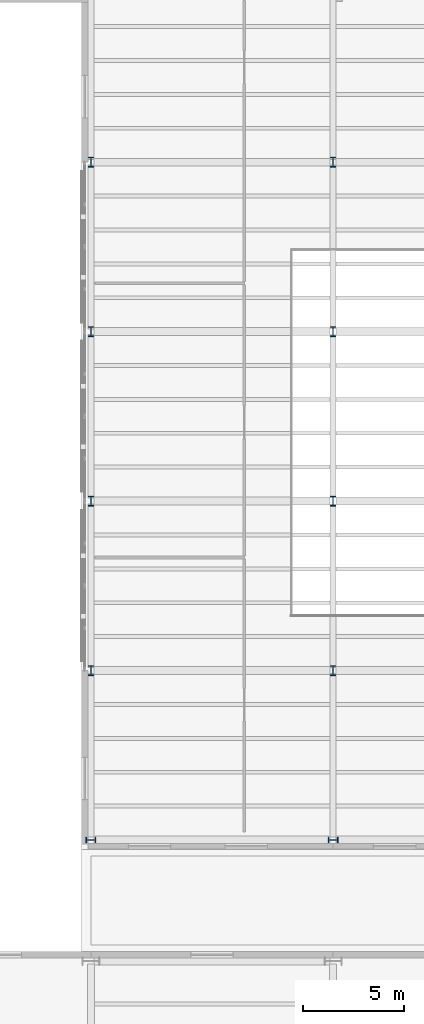
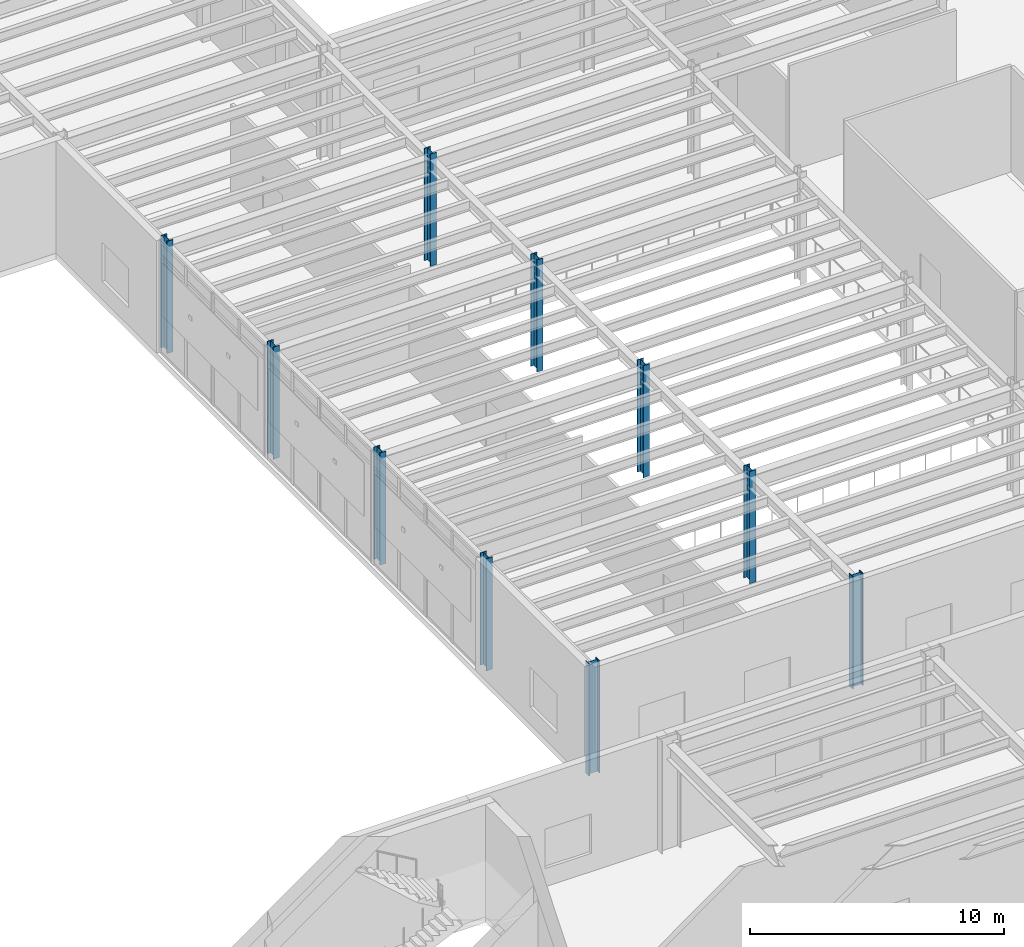
# One storey, part 6 of 98: 10 columns.
"""IFC4 building model written with IfcOpenShell, lengths in metres."""

from ifc_helpers import new_model, si_unit, direction, frame, origin, origin_2d, place, context, subcontext, project, spatial, i_section, extrude, material, material_profile, profile_set, type_object, element, save


model = new_model("IFC4")

# Units and contexts
model_context = context("Model", 3, precision=1e-05, world=origin(), true_north=direction((0.0, 1.0)))
body_context = subcontext(model_context, "Body", "Model", "MODEL_VIEW")
ifc_project = project(units=[si_unit("LENGTHUNIT", "METRE"), si_unit("AREAUNIT", "SQUARE_METRE"), si_unit("VOLUMEUNIT", "CUBIC_METRE"), si_unit("PLANEANGLEUNIT", "RADIAN"), si_unit("MASSUNIT", "GRAM", prefix="KILO")], contexts=[model_context])

# Site, building, storey
site_placement = place(None, origin())
site = spatial("IfcSite", under=ifc_project, at=site_placement, CompositionType="ELEMENT")
building_placement = place(site_placement, origin())
building = spatial("IfcBuilding", under=site, at=building_placement, Name="Sollismere Congress Hotel", CompositionType="ELEMENT")
storey_placement = place(building_placement, frame((0.0, 0.0, 5.39990234375)))
storey = spatial("IfcBuildingStorey", under=building, at=storey_placement, Name="L01", CompositionType="ELEMENT", Elevation=5.39990234375)

# Columns
ifc_material = material(Name="Steel ASTM A992 Grade 50", Category="steel")
ifc_material_profile = material_profile(ifc_material, i_section(OverallWidth=0.283935546875, OverallDepth=0.4951171875, WebThickness=0.0185546875, FlangeThickness=0.033447265625, at=origin_2d()), Name="W18X143")
ifc_profile_set = profile_set([ifc_material_profile], Name="Steel ASTM A992 Grade 50")
column_type = type_object("IfcColumnType", Name="COL-W18", PredefinedType="COLUMN", material=ifc_profile_set)
for number, where, z_axis, x_axis, name in (
    (1, (112.0, 24.800048828125, 0.0), (0.0, 0.0, 1.0), (0.0, 1.0, 0.0), "Column CL-L01-609"),
    (2, (112.0, 33.199951171875, 0.0), (0.0, 0.0, 1.0), (1.0, 0.0, 0.0), "Column CL-L01-612"),
    (3, (112.0, 41.60009765625, 0.0), (0.0, 0.0, 1.0), (1.0, 0.0, 0.0), "Column CL-L01-615"),
    (4, (112.0, 50.0, 0.0), (0.0, 0.0, 1.0), (1.0, 0.0, 0.0), "Column CL-L01-618"),
    (5, (112.0, 58.39990234375, 0.0), (0.0, 0.0, 1.0), (1.0, 0.0, 0.0), "Column CL-L01-621"),
    (6, (124.0, 24.800048828125, 0.0), (0.0, 0.0, 1.0), (0.0, 1.0, 0.0), "Column CL-L01-687"),
    (7, (124.0, 33.199951171875, 0.0), (0.0, 0.0, 1.0), (1.0, 0.0, 0.0), "Column CL-L01-690"),
    (8, (124.0, 41.60009765625, 0.0), (0.0, 0.0, 1.0), (1.0, 0.0, 0.0), "Column CL-L01-694"),
    (9, (124.0, 50.0, 0.0), (0.0, 0.0, 1.0), (1.0, 0.0, 0.0), "Column CL-L01-698"),
    (10, (124.0, 58.39990234375, 0.0), (0.0, 0.0, 1.0), (1.0, 0.0, 0.0), "Column CL-L01-702"),
):
    element("IfcColumn", number, at=place(storey_placement, frame(where, z_axis=z_axis, x_axis=x_axis)), inside=storey, type_object=column_type, Name=name, PredefinedType="COLUMN", context=body_context, shape_type="SweptSolid", body=[
        extrude(i_section(OverallWidth=0.283935546875, OverallDepth=0.4951171875, WebThickness=0.0185546875, FlangeThickness=0.033447265625, at=origin_2d()), origin(), (0.0, 0.0, 1.0), 5.400146484375),
    ])

save(model, "model.ifc")
